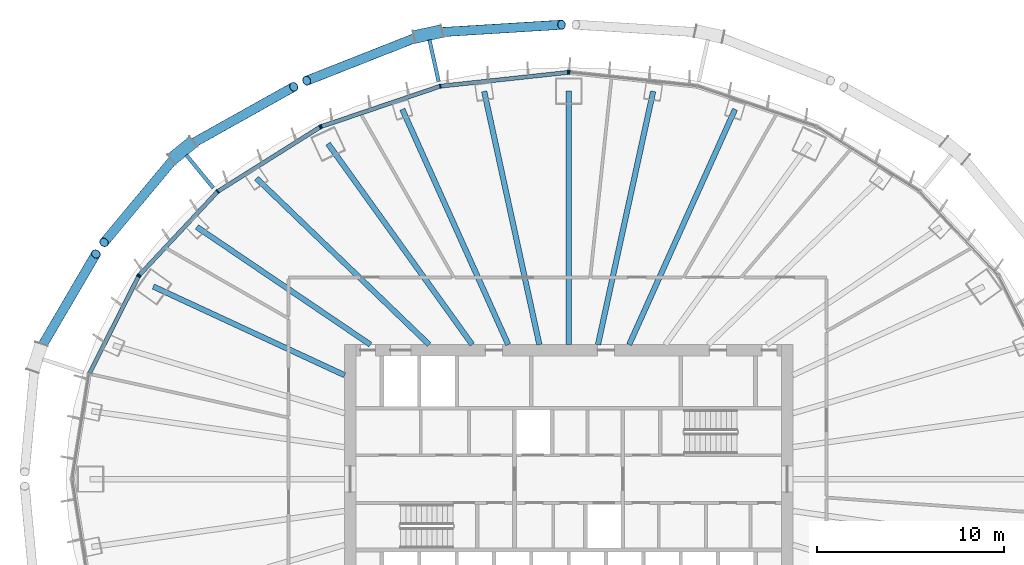
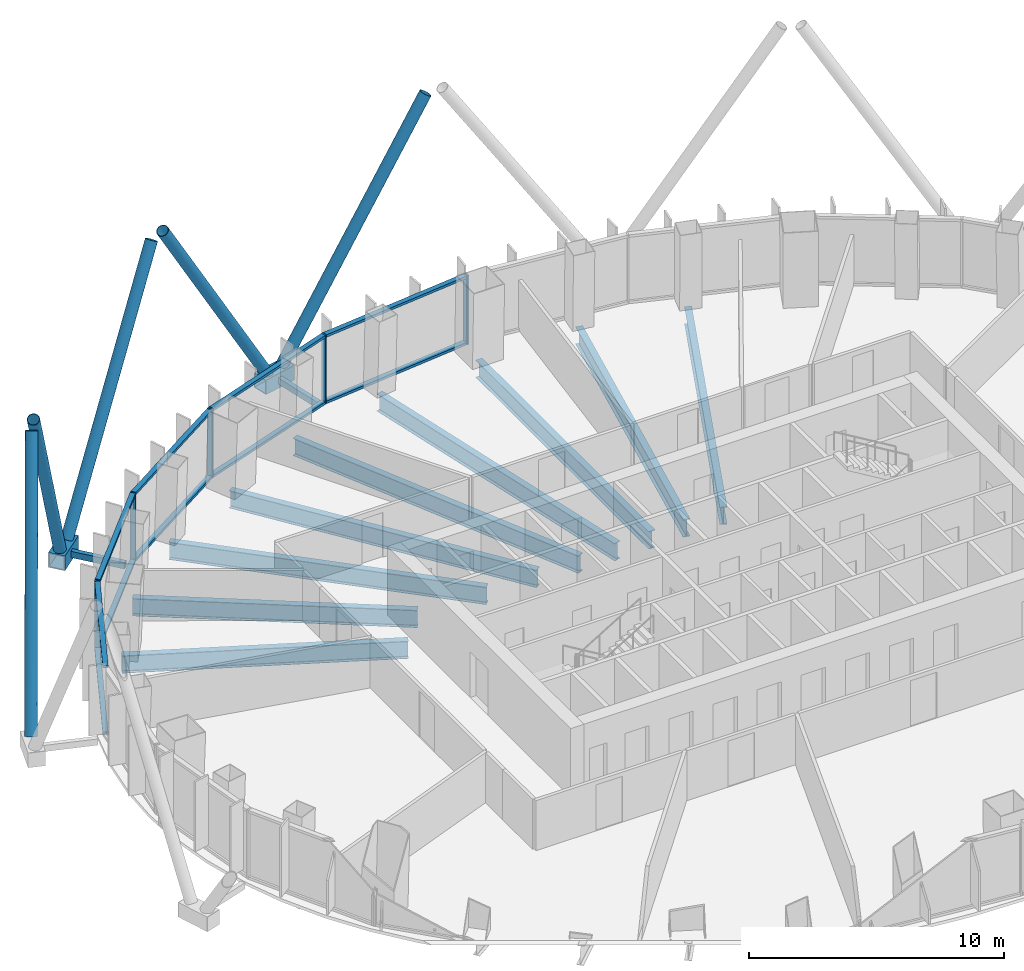
# One storey, part 5 of 18: 27 members, 9 beams, 4 elements without a shape of their own.
"""IFC4 building model written with IfcOpenShell, lengths in metres."""

from ifc_helpers import new_model, si_unit, direction, frame, origin, origin_2d, place, context, subcontext, project, spatial, rectangle, hollow_rectangle, hollow_circle, i_section, extrude, material, layer, layer_set, material_profile, profile_set, type_object, element, aggregate, save


model = new_model("IFC4")

# Units and contexts
model_context = context("Model", 3, precision=1e-05, world=origin(), true_north=direction((0.0, 1.0)))
body_context = subcontext(model_context, "Body", "Model", "MODEL_VIEW")
ifc_project = project(units=[si_unit("LENGTHUNIT", "METRE"), si_unit("AREAUNIT", "SQUARE_METRE"), si_unit("VOLUMEUNIT", "CUBIC_METRE"), si_unit("PLANEANGLEUNIT", "RADIAN"), si_unit("MASSUNIT", "GRAM", prefix="KILO")], contexts=[model_context])

# Site, building, storey
site_placement = place(None, origin())
site = spatial("IfcSite", under=ifc_project, at=site_placement, CompositionType="ELEMENT")
building_placement = place(site_placement, origin())
building = spatial("IfcBuilding", under=site, at=building_placement, Name="Siaravel Broadcast Tower", CompositionType="ELEMENT")
storey_placement = place(building_placement, frame((0.0, 0.0, 81.5)))
storey = spatial("IfcBuildingStorey", under=building, at=storey_placement, Name="L19", CompositionType="ELEMENT", Elevation=81.5)

# Beams
ifc_material_1 = material(Name="Steel S355", Category="steel")
ifc_material_profile_1 = material_profile(ifc_material_1, i_section(OverallWidth=0.291748046875, OverallDepth=0.8349609375, WebThickness=0.013916015625, FlangeThickness=0.018798828125, FilletRadius=0.017822265625, at=origin_2d()))
ifc_profile_set_1 = profile_set([ifc_material_profile_1], Name="Steel S355")
beam_type = type_object("IfcBeamType", Name="BM-UB 838x292x176", PredefinedType="BEAM", material=ifc_profile_set_1)
beam_1_placement = place(storey_placement, frame((8.91064453125, 19.80126953125, -0.5673828125), z_axis=(-0.41036835, -0.911919852, 0.0), x_axis=(0.911919852, -0.41036835, 0.0)))
element("IfcBeam", 1, at=beam_1_placement, inside=storey, type_object=beam_type, Name="Radial beam RB08", PredefinedType="BEAM", context=body_context, shape_type="SweptSolid", body=[
    extrude(i_section(OverallWidth=0.291748046875, OverallDepth=0.8349609375, WebThickness=0.013916015625, FlangeThickness=0.018798828125, FilletRadius=0.017822265625, at=origin_2d()), origin(), (0.0, 0.0, 1.0), 13.818359375),
])
beam_2_placement = place(storey_placement, frame((4.52587890625, 20.763671875, -0.5673828125), z_axis=(-0.212973558, -0.977057963, 0.0), x_axis=(0.977057963, -0.212973558, 0.0)))
element("IfcBeam", 2, at=beam_2_placement, inside=storey, type_object=beam_type, Name="Radial beam RB09", PredefinedType="BEAM", context=body_context, shape_type="SweptSolid", body=[
    extrude(i_section(OverallWidth=0.291748046875, OverallDepth=0.8349609375, WebThickness=0.013916015625, FlangeThickness=0.018798828125, FilletRadius=0.017822265625, at=origin_2d()), origin(), (0.0, 0.0, 1.0), 13.88232421875),
])
beam_3_placement = place(storey_placement, frame((0.0, 20.787841796875, -0.5673828125), z_axis=(0.0, -1.0, 0.0), x_axis=(1.0, 0.0, 0.0)))
element("IfcBeam", 3, at=beam_3_placement, inside=storey, type_object=beam_type, Name="Radial beam RB10", PredefinedType="BEAM", context=body_context, shape_type="SweptSolid", body=[
    extrude(i_section(OverallWidth=0.291748046875, OverallDepth=0.8349609375, WebThickness=0.013916015625, FlangeThickness=0.018798828125, FilletRadius=0.017822265625, at=origin_2d()), origin(), (0.0, 0.0, 1.0), 13.587890625),
])
beam_4_placement = place(storey_placement, frame((-4.52587890625, 20.763671875, -0.5673828125), z_axis=(0.212973558, -0.977057963, 0.0), x_axis=(0.977057963, 0.212973558, 0.0)))
element("IfcBeam", 4, at=beam_4_placement, inside=storey, type_object=beam_type, Name="Radial beam RB11", PredefinedType="BEAM", context=body_context, shape_type="SweptSolid", body=[
    extrude(i_section(OverallWidth=0.291748046875, OverallDepth=0.8349609375, WebThickness=0.013916015625, FlangeThickness=0.018798828125, FilletRadius=0.017822265625, at=origin_2d()), origin(), (0.0, 0.0, 1.0), 13.88232421875),
])
beam_5_placement = place(storey_placement, frame((-8.91064453125, 19.80126953125, -0.5673828125), z_axis=(0.41036835, -0.911919852, 0.0), x_axis=(0.911919852, 0.41036835, 0.0)))
element("IfcBeam", 5, at=beam_5_placement, inside=storey, type_object=beam_type, Name="Radial beam RB12", PredefinedType="BEAM", context=body_context, shape_type="SweptSolid", body=[
    extrude(i_section(OverallWidth=0.291748046875, OverallDepth=0.8349609375, WebThickness=0.013916015625, FlangeThickness=0.018798828125, FilletRadius=0.017822265625, at=origin_2d()), origin(), (0.0, 0.0, 1.0), 13.818359375),
])
beam_6_placement = place(storey_placement, frame((-12.890380859375, 17.961181640625, -0.5673828125), z_axis=(0.583051778, -0.812434997, 0.0), x_axis=(0.812434997, 0.583051778, 0.0)))
element("IfcBeam", 6, at=beam_6_placement, inside=storey, type_object=beam_type, Name="Radial beam RB13", PredefinedType="BEAM", context=body_context, shape_type="SweptSolid", body=[
    extrude(i_section(OverallWidth=0.291748046875, OverallDepth=0.8349609375, WebThickness=0.013916015625, FlangeThickness=0.018798828125, FilletRadius=0.017822265625, at=origin_2d()), origin(), (0.0, 0.0, 1.0), 13.24560546875),
])
beam_7_placement = place(storey_placement, frame((-16.72314453125, 16.10791015625, -0.5673828125), z_axis=(0.72022556, -0.693739968, 0.0), x_axis=(0.693739968, 0.72022556, 0.0)))
element("IfcBeam", 7, at=beam_7_placement, inside=storey, type_object=beam_type, Name="Radial beam RB14", PredefinedType="BEAM", context=body_context, shape_type="SweptSolid", body=[
    extrude(i_section(OverallWidth=0.291748046875, OverallDepth=0.8349609375, WebThickness=0.013916015625, FlangeThickness=0.018798828125, FilletRadius=0.017822265625, at=origin_2d()), origin(), (0.0, 0.0, 1.0), 12.840576171875),
])
beam_8_placement = place(storey_placement, frame((-19.910888671875, 13.496826171875, -0.5673828125), z_axis=(0.827748229, -0.561099696, 0.0), x_axis=(0.561099696, 0.827748229, 0.0)))
element("IfcBeam", 8, at=beam_8_placement, inside=storey, type_object=beam_type, Name="Radial beam RB15", PredefinedType="BEAM", context=body_context, shape_type="SweptSolid", body=[
    extrude(i_section(OverallWidth=0.291748046875, OverallDepth=0.8349609375, WebThickness=0.013916015625, FlangeThickness=0.018798828125, FilletRadius=0.017822265625, at=origin_2d()), origin(), (0.0, 0.0, 1.0), 11.222412109375),
])
beam_9_placement = place(storey_placement, frame((-22.242431640625, 10.310302734375, -0.5673828125), z_axis=(0.907266333, -0.420556537, 0.0), x_axis=(0.420556537, 0.907266333, 0.0)))
element("IfcBeam", 9, at=beam_9_placement, inside=storey, type_object=beam_type, Name="Radial beam RB16", PredefinedType="BEAM", context=body_context, shape_type="SweptSolid", body=[
    extrude(i_section(OverallWidth=0.291748046875, OverallDepth=0.8349609375, WebThickness=0.013916015625, FlangeThickness=0.018798828125, FilletRadius=0.017822265625, at=origin_2d()), origin(), (0.0, 0.0, 1.0), 11.289306640625),
])

# Curtain wall, member
ifc_material_2 = material(Name="Aluminium 6063-T6", Category="aluminium")
ifc_layer = layer(ifc_material_2, 0.219970703125)
ifc_layer_set = layer_set([ifc_layer], Name="Aluminium 6063-T6")
curtain_wall_type = type_object("IfcCurtainWallType", Name="Unitised curtain wall, zone 1", PredefinedType="NOTDEFINED", material=ifc_layer_set)
curtain_wall_1_placement = place(storey_placement, origin())
curtain_wall_1 = element("IfcCurtainWall", 10, at=curtain_wall_1_placement, inside=storey, type_object=curtain_wall_type, Name="L19 Unitised curtain wall, zone 1 03", PredefinedType="NOTDEFINED")
ifc_material_profile_2 = material_profile(ifc_material_2, rectangle(XDim=0.219970703125, YDim=0.070068359375, at=origin_2d()))
ifc_profile_set_2 = profile_set([ifc_material_profile_2], Name="Aluminium 6063-T6")
member_type_1 = type_object("IfcMemberType", Name="CW-Z1 mullion", PredefinedType="MULLION", material=ifc_profile_set_2)
member_1_placement = place(storey_placement, frame((0.034912109375, 21.77685546875, 0.0), z_axis=(0.0, 0.0, 1.0), x_axis=(-0.10721771, -0.994235567, 0.0)))
member_1 = element("IfcMember", 11, at=member_1_placement, type_object=member_type_1, Name="CW-Z1 mullion 3", PredefinedType="MULLION", context=body_context, shape_type="SweptSolid", body=[
    extrude(rectangle(XDim=0.219970703125, YDim=0.070068359375, at=origin_2d()), origin(), (0.0, 0.0, 1.0), 3.300048828125),
])
aggregate(curtain_wall_1, [member_1])

# Curtain wall, members
curtain_wall_2_placement = place(storey_placement, origin())
curtain_wall_2 = element("IfcCurtainWall", 12, at=curtain_wall_2_placement, inside=storey, type_object=curtain_wall_type, Name="L19 Unitised curtain wall, zone 1 04", PredefinedType="NOTDEFINED")
member_2_placement = place(storey_placement, frame((-0.034912109375, 21.77685546875, 0.0), z_axis=(0.0, 0.0, 1.0), x_axis=(0.10721771, -0.994235567, 0.0)))
member_2 = element("IfcMember", 13, at=member_2_placement, type_object=member_type_1, Name="CW-Z1 mullion 1", PredefinedType="MULLION", context=body_context, shape_type="SweptSolid", body=[
    extrude(rectangle(XDim=0.219970703125, YDim=0.070068359375, at=origin_2d()), origin(), (0.0, 0.0, 1.0), 3.300048828125),
])
member_3_placement = place(storey_placement, frame((-6.876953125, 21.0390625, 0.0), z_axis=(0.0, 0.0, 1.0), x_axis=(0.21555847, -0.976490935, 0.0)))
member_3 = element("IfcMember", 14, at=member_3_placement, type_object=member_type_1, Name="CW-Z1 mullion 2", PredefinedType="MULLION", context=body_context, shape_type="SweptSolid", body=[
    extrude(rectangle(XDim=0.219970703125, YDim=0.070068359375, at=origin_2d()), origin(), (0.0, 0.0, 1.0), 3.300048828125),
])
member_4_placement = place(storey_placement, frame((-13.2529296875, 18.875732421875, 0.0), z_axis=(0.0, 0.0, 1.0), x_axis=(0.321301192, -0.946977056, 0.0)))
member_4 = element("IfcMember", 15, at=member_4_placement, type_object=member_type_1, Name="CW-Z1 mullion 3", PredefinedType="MULLION", context=body_context, shape_type="SweptSolid", body=[
    extrude(rectangle(XDim=0.219970703125, YDim=0.070068359375, at=origin_2d()), origin(), (0.0, 0.0, 1.0), 3.300048828125),
])

curtain_wall_3_placement = place(storey_placement, origin())
curtain_wall_3 = element("IfcCurtainWall", 16, at=curtain_wall_3_placement, inside=storey, type_object=curtain_wall_type, Name="L19 Unitised curtain wall, zone 1 05", PredefinedType="NOTDEFINED")
member_5_placement = place(storey_placement, frame((-13.315673828125, 18.845703125, 0.0), z_axis=(0.0, 0.0, 1.0), x_axis=(0.532149888, -0.846650162, 0.0)))
member_5 = element("IfcMember", 17, at=member_5_placement, type_object=member_type_1, Name="CW-Z1 mullion 1", PredefinedType="MULLION", context=body_context, shape_type="SweptSolid", body=[
    extrude(rectangle(XDim=0.219970703125, YDim=0.070068359375, at=origin_2d()), origin(), (0.0, 0.0, 1.0), 3.300048828125),
])
member_6_placement = place(storey_placement, frame((-18.790771484375, 15.404541015625, 0.0), z_axis=(0.0, 0.0, 1.0), x_axis=(0.636219201, -0.771508346, 0.0)))
member_6 = element("IfcMember", 18, at=member_6_placement, type_object=member_type_1, Name="CW-Z1 mullion 2", PredefinedType="MULLION", context=body_context, shape_type="SweptSolid", body=[
    extrude(rectangle(XDim=0.219970703125, YDim=0.070068359375, at=origin_2d()), origin(), (0.0, 0.0, 1.0), 3.300048828125),
])
member_7_placement = place(storey_placement, frame((-22.9921875, 10.919677734375, 0.0), z_axis=(0.0, 0.0, 1.0), x_axis=(0.729805713, -0.683654607, 0.0)))
member_7 = element("IfcMember", 19, at=member_7_placement, type_object=member_type_1, Name="CW-Z1 mullion 3", PredefinedType="MULLION", context=body_context, shape_type="SweptSolid", body=[
    extrude(rectangle(XDim=0.219970703125, YDim=0.070068359375, at=origin_2d()), origin(), (0.0, 0.0, 1.0), 3.300048828125),
])

# Curtain wall, member
curtain_wall_4_placement = place(storey_placement, origin())
curtain_wall_4 = element("IfcCurtainWall", 20, at=curtain_wall_4_placement, inside=storey, type_object=curtain_wall_type, Name="L19 Unitised curtain wall, zone 1 06", PredefinedType="NOTDEFINED")
member_8_placement = place(storey_placement, frame((-23.03173828125, 10.86279296875, 0.0), z_axis=(0.0, 0.0, 1.0), x_axis=(0.892392264, -0.45126051, 0.0)))
member_8 = element("IfcMember", 21, at=member_8_placement, type_object=member_type_1, Name="CW-Z1 mullion 1", PredefinedType="MULLION", context=body_context, shape_type="SweptSolid", body=[
    extrude(rectangle(XDim=0.219970703125, YDim=0.070068359375, at=origin_2d()), origin(), (0.0, 0.0, 1.0), 3.300048828125),
])

# Member
ifc_material_profile_3 = material_profile(ifc_material_2, rectangle(XDim=0.219970703125, YDim=0.1201171875, at=origin_2d()))
ifc_profile_set_3 = profile_set([ifc_material_profile_3], Name="Aluminium 6063-T6")
member_type_2 = type_object("IfcMemberType", Name="CW-Z1 transom", PredefinedType="USERDEFINED", material=ifc_profile_set_3)
member_9_placement = place(storey_placement, frame((-0.069580078125, 21.773193359375, 0.06005859375), z_axis=(-0.994233929, -0.107232901, 0.0), x_axis=(0.107232901, -0.994233929, 0.0)))
member_9 = element("IfcMember", 22, at=member_9_placement, type_object=member_type_2, Name="CW-Z1 transom 1", ObjectType="TRANSOM", PredefinedType="USERDEFINED", context=body_context, shape_type="SweptSolid", body=[
    extrude(rectangle(XDim=0.219970703125, YDim=0.1201171875, at=origin_2d()), origin(), (0.0, 0.0, 1.0), 6.81201171875),
])

member_10_placement = place(storey_placement, frame((-0.069580078125, 21.773193359375, 3.239990234375), z_axis=(-0.994233929, -0.107232901, 0.0), x_axis=(0.107232901, -0.994233929, 0.0)))
member_10 = element("IfcMember", 23, at=member_10_placement, type_object=member_type_2, Name="CW-Z1 transom 1", ObjectType="TRANSOM", PredefinedType="USERDEFINED", context=body_context, shape_type="SweptSolid", body=[
    extrude(rectangle(XDim=0.219970703125, YDim=0.1201171875, at=origin_2d()), origin(), (0.0, 0.0, 1.0), 6.81201171875),
])

member_11_placement = place(storey_placement, frame((-6.91015625, 21.027587890625, 0.06005859375), z_axis=(-0.946984275, -0.321279915, 0.0), x_axis=(0.321279915, -0.946984275, 0.0)))
member_11 = element("IfcMember", 24, at=member_11_placement, type_object=member_type_2, Name="CW-Z1 transom 2", ObjectType="TRANSOM", PredefinedType="USERDEFINED", context=body_context, shape_type="SweptSolid", body=[
    extrude(rectangle(XDim=0.219970703125, YDim=0.1201171875, at=origin_2d()), origin(), (0.0, 0.0, 1.0), 6.662841796875),
])

member_12_placement = place(storey_placement, frame((-6.91015625, 21.027587890625, 3.239990234375), z_axis=(-0.946984275, -0.321279915, 0.0), x_axis=(0.321279915, -0.946984275, 0.0)))
member_12 = element("IfcMember", 25, at=member_12_placement, type_object=member_type_2, Name="CW-Z1 transom 2", ObjectType="TRANSOM", PredefinedType="USERDEFINED", context=body_context, shape_type="SweptSolid", body=[
    extrude(rectangle(XDim=0.219970703125, YDim=0.1201171875, at=origin_2d()), origin(), (0.0, 0.0, 1.0), 6.662841796875),
])

aggregate(curtain_wall_2, [member_2, member_3, member_4, member_9, member_10, member_11, member_12])

member_13_placement = place(storey_placement, frame((-13.34521484375, 18.8271484375, 0.06005859375), z_axis=(-0.846657675, -0.532137935, 0.0), x_axis=(0.532137935, -0.846657675, 0.0)))
member_13 = element("IfcMember", 26, at=member_13_placement, type_object=member_type_2, Name="CW-Z1 transom 1", ObjectType="TRANSOM", PredefinedType="USERDEFINED", context=body_context, shape_type="SweptSolid", body=[
    extrude(rectangle(XDim=0.219970703125, YDim=0.1201171875, at=origin_2d()), origin(), (0.0, 0.0, 1.0), 6.39697265625),
])

member_14_placement = place(storey_placement, frame((-13.34521484375, 18.8271484375, 3.239990234375), z_axis=(-0.846657675, -0.532137935, 0.0), x_axis=(0.532137935, -0.846657675, 0.0)))
member_14 = element("IfcMember", 27, at=member_14_placement, type_object=member_type_2, Name="CW-Z1 transom 1", ObjectType="TRANSOM", PredefinedType="USERDEFINED", context=body_context, shape_type="SweptSolid", body=[
    extrude(rectangle(XDim=0.219970703125, YDim=0.1201171875, at=origin_2d()), origin(), (0.0, 0.0, 1.0), 6.39697265625),
])

member_15_placement = place(storey_placement, frame((-18.814697265625, 15.37890625, 0.06005859375), z_axis=(-0.683663028, -0.729797824, 0.0), x_axis=(0.729797824, -0.683663028, 0.0)))
member_15 = element("IfcMember", 28, at=member_15_placement, type_object=member_type_2, Name="CW-Z1 transom 2", ObjectType="TRANSOM", PredefinedType="USERDEFINED", context=body_context, shape_type="SweptSolid", body=[
    extrude(rectangle(XDim=0.219970703125, YDim=0.1201171875, at=origin_2d()), origin(), (0.0, 0.0, 1.0), 6.0751953125),
])

member_16_placement = place(storey_placement, frame((-18.814697265625, 15.37890625, 3.239990234375), z_axis=(-0.683663028, -0.729797824, 0.0), x_axis=(0.729797824, -0.683663028, 0.0)))
member_16 = element("IfcMember", 29, at=member_16_placement, type_object=member_type_2, Name="CW-Z1 transom 2", ObjectType="TRANSOM", PredefinedType="USERDEFINED", context=body_context, shape_type="SweptSolid", body=[
    extrude(rectangle(XDim=0.219970703125, YDim=0.1201171875, at=origin_2d()), origin(), (0.0, 0.0, 1.0), 6.0751953125),
])

aggregate(curtain_wall_3, [member_5, member_6, member_7, member_13, member_14, member_15, member_16])

member_17_placement = place(storey_placement, frame((-23.047607421875, 10.83154296875, 0.06005859375), z_axis=(-0.451278877, -0.892382976, 0.0), x_axis=(0.892382976, -0.451278877, 0.0)))
member_17 = element("IfcMember", 30, at=member_17_placement, type_object=member_type_2, Name="CW-Z1 transom 1", ObjectType="TRANSOM", PredefinedType="USERDEFINED", context=body_context, shape_type="SweptSolid", body=[
    extrude(rectangle(XDim=0.219970703125, YDim=0.1201171875, at=origin_2d()), origin(), (0.0, 0.0, 1.0), 5.78271484375),
])

member_18_placement = place(storey_placement, frame((-23.047607421875, 10.83154296875, 3.239990234375), z_axis=(-0.451278877, -0.892382976, 0.0), x_axis=(0.892382976, -0.451278877, 0.0)))
member_18 = element("IfcMember", 31, at=member_18_placement, type_object=member_type_2, Name="CW-Z1 transom 1", ObjectType="TRANSOM", PredefinedType="USERDEFINED", context=body_context, shape_type="SweptSolid", body=[
    extrude(rectangle(XDim=0.219970703125, YDim=0.1201171875, at=origin_2d()), origin(), (0.0, 0.0, 1.0), 5.78271484375),
])

aggregate(curtain_wall_4, [member_8, member_17, member_18])

# Members
ifc_material_3 = material(Name="Steel S460", Category="steel")
ifc_material_profile_4 = material_profile(ifc_material_3, hollow_circle(Radius=0.25390625, WallThickness=0.02001953125, at=origin_2d()))
ifc_profile_set_4 = profile_set([ifc_material_profile_4], Name="Steel S460")
member_type_3 = type_object("IfcMemberType", Name="Diagrid diagonal CHS 508x20", PredefinedType="BRACE", material=ifc_profile_set_4)
member_19_placement = place(storey_placement, frame((-7.152587890625, 23.9150390625, 0.1201171875), z_axis=(0.543231205, 0.033326587, 0.838921448), x_axis=(-0.061233685, 0.998123457, 0.0)))
element("IfcMember", 32, at=member_19_placement, inside=storey, type_object=member_type_3, Name="Diagrid diagonal R08 station 21C", PredefinedType="BRACE", context=body_context, shape_type="SweptSolid", body=[
    extrude(hollow_circle(Radius=0.25390625, WallThickness=0.02001953125, at=origin_2d()), origin(), (0.0, 0.0, 1.0), 12.46826171875),
])
member_20_placement = place(storey_placement, frame((-7.893798828125, 23.75244140625, 0.1201171875), z_axis=(-0.496402038, -0.195722202, 0.845740999), x_axis=(0.366800108, -0.93029978, 0.0)))
element("IfcMember", 33, at=member_20_placement, inside=storey, type_object=member_type_3, Name="Diagrid diagonal R08 station 21A", PredefinedType="BRACE", context=body_context, shape_type="SweptSolid", body=[
    extrude(hollow_circle(Radius=0.25390625, WallThickness=0.02001953125, at=origin_2d()), origin(), (0.0, 0.0, 1.0), 12.367919921875),
])
member_21_placement = place(storey_placement, frame((-20.384765625, 17.840087890625, 0.1201171875), z_axis=(0.460228971, 0.257304605, 0.849696201), x_axis=(-0.487991636, 0.872848305, 0.0)))
element("IfcMember", 34, at=member_21_placement, inside=storey, type_object=member_type_3, Name="Diagrid diagonal R08 station 27C", PredefinedType="BRACE", context=body_context, shape_type="SweptSolid", body=[
    extrude(hollow_circle(Radius=0.25390625, WallThickness=0.02001953125, at=origin_2d()), origin(), (0.0, 0.0, 1.0), 12.310302734375),
])
member_22_placement = place(storey_placement, frame((-20.9716796875, 17.359375, 0.1201171875), z_axis=(-0.322860874, -0.386949211, 0.863730956), x_axis=(0.767827657, -0.640656451, 0.0)))
element("IfcMember", 35, at=member_22_placement, inside=storey, type_object=member_type_3, Name="Diagrid diagonal R08 station 27A", PredefinedType="BRACE", context=body_context, shape_type="SweptSolid", body=[
    extrude(hollow_circle(Radius=0.25390625, WallThickness=0.02001953125, at=origin_2d()), origin(), (0.0, 0.0, 1.0), 12.110107421875),
])
member_23_placement = place(storey_placement, frame((-28.349609375, 6.874755859375, 0.1201171875), z_axis=(0.251335725, 0.429420874, 0.867426116), x_axis=(-0.863043025, 0.505130416, 0.0)))
element("IfcMember", 36, at=member_23_placement, inside=storey, type_object=member_type_3, Name="Diagrid diagonal R08 station 33C", PredefinedType="BRACE", context=body_context, shape_type="SweptSolid", body=[
    extrude(hollow_circle(Radius=0.25390625, WallThickness=0.02001953125, at=origin_2d()), origin(), (0.0, 0.0, 1.0), 12.05859375),
])
ifc_material_profile_5 = material_profile(ifc_material_3, hollow_rectangle(XDim=0.699951171875, YDim=0.699951171875, WallThickness=0.0400390625, at=origin_2d()))
ifc_profile_set_5 = profile_set([ifc_material_profile_5], Name="Steel S460")
member_type_4 = type_object("IfcMemberType", Name="Diagrid node BOX 700x700x40", PredefinedType="USERDEFINED", material=ifc_profile_set_5)
member_24_placement = place(storey_placement, frame((-6.787109375, 23.9951171875, -0.199951171875), z_axis=(-0.976759236, -0.214339438, 0.0), x_axis=(0.214339438, -0.976759236, 0.0)))
element("IfcMember", 37, at=member_24_placement, inside=storey, type_object=member_type_4, Name="Diagrid node R08 station 21", ObjectType="DIAGRID NODE", PredefinedType="USERDEFINED", context=body_context, shape_type="SweptSolid", body=[
    extrude(hollow_rectangle(XDim=0.699951171875, YDim=0.699951171875, WallThickness=0.0400390625, at=origin_2d()), origin(), (0.0, 0.0, 1.0), 1.5068359375),
])
member_25_placement = place(storey_placement, frame((-20.095458984375, 18.0771484375, -0.199951171875), z_axis=(-0.773560079, -0.633722972, 0.0), x_axis=(0.633722972, -0.773560079, 0.0)))
element("IfcMember", 38, at=member_25_placement, inside=storey, type_object=member_type_4, Name="Diagrid node R08 station 27", ObjectType="DIAGRID NODE", PredefinedType="USERDEFINED", context=body_context, shape_type="SweptSolid", body=[
    extrude(hollow_rectangle(XDim=0.699951171875, YDim=0.699951171875, WallThickness=0.0400390625, at=origin_2d()), origin(), (0.0, 0.0, 1.0), 1.506591796875),
])
ifc_material_profile_6 = material_profile(ifc_material_3, hollow_rectangle(XDim=0.199951171875, YDim=0.300048828125, WallThickness=0.012451171875, at=origin_2d()))
ifc_profile_set_6 = profile_set([ifc_material_profile_6], Name="Steel S460")
member_type_5 = type_object("IfcMemberType", Name="Diagrid node arm RHS 300x200x12.5", PredefinedType="STRUT", material=ifc_profile_set_6)
member_26_placement = place(storey_placement, frame((-6.9658203125, 21.294189453125, -0.199951171875), z_axis=(-0.214389852, 0.976748172, 0.0), x_axis=(-0.976748172, -0.214389852, 0.0)))
element("IfcMember", 39, at=member_26_placement, inside=storey, type_object=member_type_5, Name="Node arm R08 station 21", PredefinedType="STRUT", context=body_context, shape_type="SweptSolid", body=[
    extrude(hollow_rectangle(XDim=0.199951171875, YDim=0.300048828125, WallThickness=0.012451171875, at=origin_2d()), origin(), (0.0, 0.0, 1.0), 2.27978515625),
])
member_27_placement = place(storey_placement, frame((-19.03076171875, 15.58837890625, -0.199951171875), z_axis=(-0.63366334, 0.773608927, 0.0), x_axis=(-0.773608927, -0.63366334, 0.0)))
element("IfcMember", 40, at=member_27_placement, inside=storey, type_object=member_type_5, Name="Node arm R08 station 27", PredefinedType="STRUT", context=body_context, shape_type="SweptSolid", body=[
    extrude(hollow_rectangle(XDim=0.199951171875, YDim=0.300048828125, WallThickness=0.012451171875, at=origin_2d()), origin(), (0.0, 0.0, 1.0), 2.280029296875),
])

save(model, "model.ifc")
